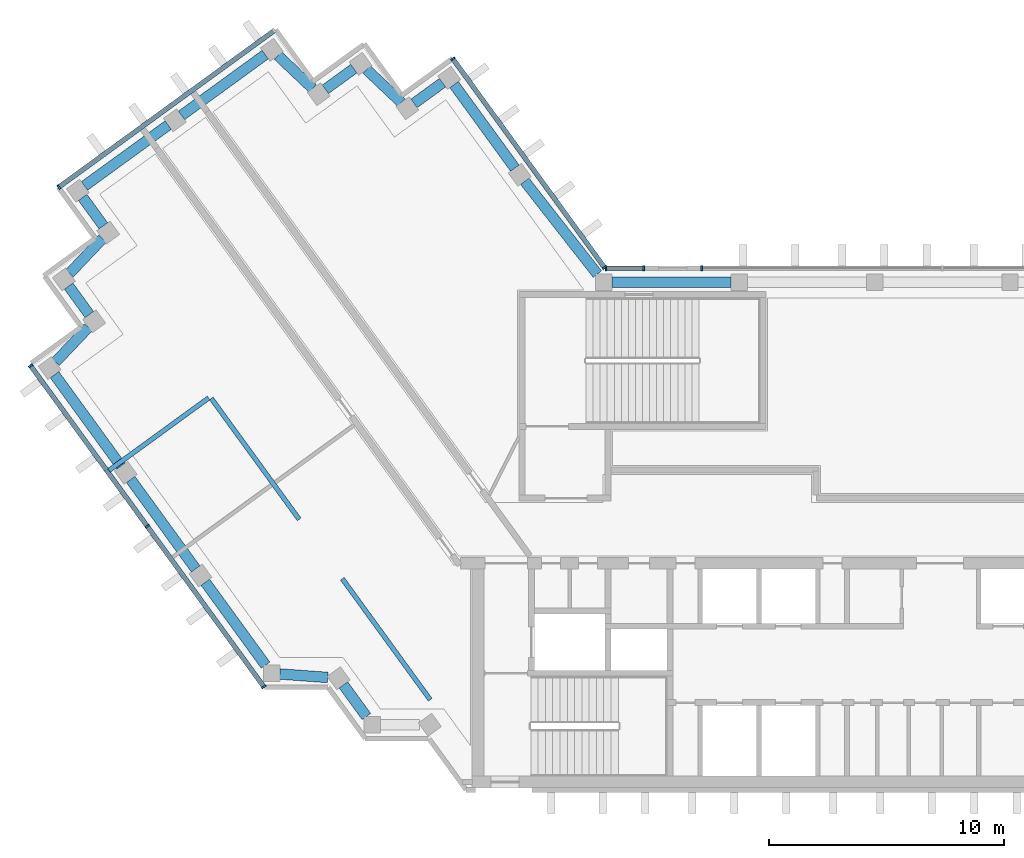
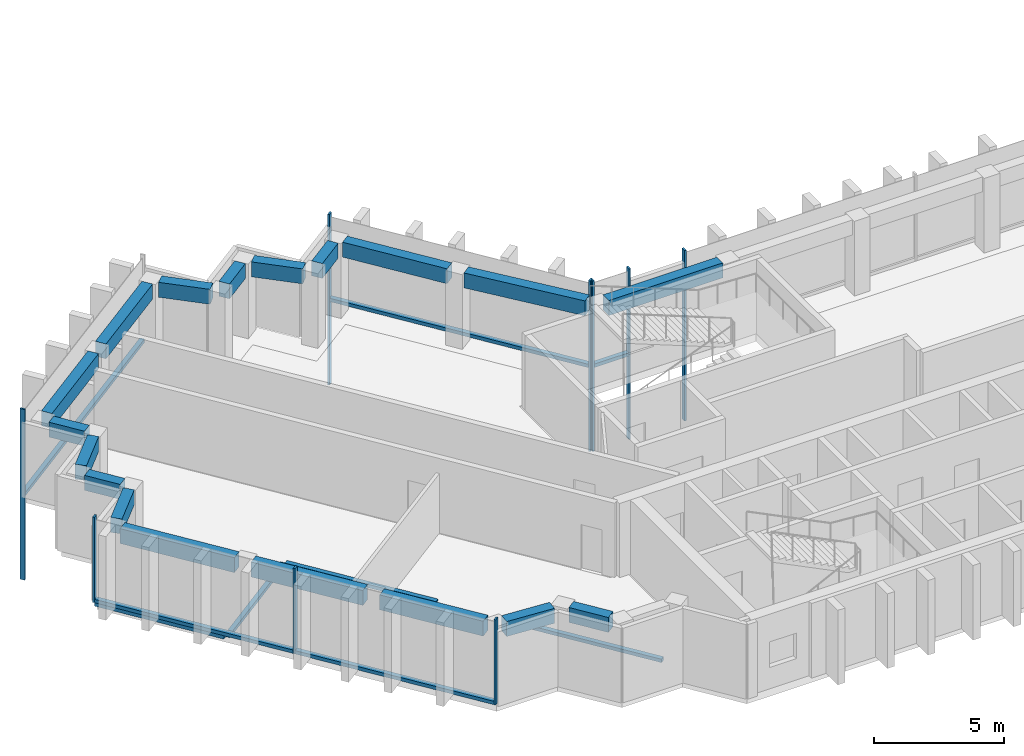
"""IFC4 building model written with IfcOpenShell, lengths in metres."""

import ifcopenshell
import ifcopenshell.guid

model = None  # the IFC model being written
_history = None  # IfcOwnerHistory: only IFC2X3 demands one
_inside = {}  # id of a spatial element -> (the spatial element, [elements in it])
_under = {}  # id of a project, library or spatial element -> (it, [spatial elements below it])
_declared = {}  # id of a project -> (the project, [libraries it declares])
_typed = {}  # id of a type object -> (the type object, [elements of that type])
_made_of = {}  # id of a material, layer set ... -> (it, [elements and type objects made of it])


def new_model(schema):
    """Start an empty IFC model of exactly this schema.

    Asked for "IFC4X3", IfcOpenShell would pick the latest addendum, in which some entities
    have other attributes; the version numbers below select the first issue.
    IFC2X3 requires an IfcOwnerHistory on every rooted entity: one is made here for all.
    """
    global model, _history
    if schema == "IFC4X3":
        model = ifcopenshell.file(schema_version=(4, 3, 0, 0))
    else:
        model = ifcopenshell.file(schema=schema)
    _inside.clear()
    _under.clear()
    _declared.clear()
    _typed.clear()
    _made_of.clear()
    _history = None
    if model.schema == "IFC2X3":
        org = make("IfcOrganization", Name="unknown")
        user = make(
            "IfcPersonAndOrganization",
            ThePerson=make("IfcPerson", FamilyName="unknown"),
            TheOrganization=org,
        )
        app = make(
            "IfcApplication",
            ApplicationDeveloper=org,
            Version="unknown",
            ApplicationFullName="unknown",
            ApplicationIdentifier="unknown",
        )
        _history = make(
            "IfcOwnerHistory",
            OwningUser=user,
            OwningApplication=app,
            ChangeAction="ADDED",
            CreationDate=0,
        )
    return model


def make(cls, **values):
    """One entity of the class cls with the attributes given. An attribute that is None is left unset."""
    return model.create_entity(
        cls, **{name: value for name, value in values.items() if value is not None}
    )


def rooted(cls, **values):
    """An entity with a GlobalId (a new one), such as an element, a storey or a relation."""
    return make(cls, GlobalId=ifcopenshell.guid.new(), OwnerHistory=_history, **values)


def si_unit(unit_type, name, prefix=None):
    """IfcSIUnit, for example si_unit("LENGTHUNIT", "METRE", prefix="MILLI")."""
    return make("IfcSIUnit", UnitType=unit_type, Prefix=prefix, Name=name)


def assignment(units):
    """IfcUnitAssignment: the units of a project."""
    return None if units is None else make("IfcUnitAssignment", Units=units)


def point(xyz):
    """IfcCartesianPoint."""
    return None if xyz is None else make("IfcCartesianPoint", Coordinates=xyz)


def direction(xyz):
    """IfcDirection."""
    return None if xyz is None else make("IfcDirection", DirectionRatios=xyz)


def frame(location, z_axis=None, x_axis=None):
    """IfcAxis2Placement3D, a coordinate frame: its origin and axes. An axis left out is left unset."""
    return make(
        "IfcAxis2Placement3D",
        Location=point(location),
        Axis=direction(z_axis),
        RefDirection=direction(x_axis),
    )


def frame_2d(location, x_axis=None):
    """IfcAxis2Placement2D, a coordinate frame in the plane: its origin and x axis."""
    return make(
        "IfcAxis2Placement2D", Location=point(location), RefDirection=direction(x_axis)
    )


def origin():
    """The frame at (0, 0, 0) with its axes left unset."""
    return frame((0.0, 0.0, 0.0))


def origin_2d():
    """The frame at (0, 0) in the plane with its x axis left unset."""
    return frame_2d((0.0, 0.0))


def place(relative_to, where):
    """IfcLocalPlacement: puts the frame where relative to a parent placement (None: the world)."""
    return make(
        "IfcLocalPlacement", PlacementRelTo=relative_to, RelativePlacement=where
    )


def context(
    kind, dimensions, precision=None, world=None, true_north=None, identifier=None
):
    """IfcGeometricRepresentationContext, for example the 3D "Model" context."""
    return make(
        "IfcGeometricRepresentationContext",
        ContextIdentifier=identifier,
        ContextType=kind,
        CoordinateSpaceDimension=dimensions,
        Precision=precision,
        WorldCoordinateSystem=world,
        TrueNorth=true_north,
    )


def subcontext(parent, identifier, kind, view, scale=None):
    """IfcGeometricRepresentationSubContext, for example "Body" below "Model"."""
    return make(
        "IfcGeometricRepresentationSubContext",
        ContextIdentifier=identifier,
        ContextType=kind,
        ParentContext=parent,
        TargetScale=scale,
        TargetView=view,
    )


def project(units=None, contexts=None):
    """IfcProject with its units and contexts."""
    return rooted(
        "IfcProject",
        Name="project",
        RepresentationContexts=contexts,
        UnitsInContext=assignment(units),
    )


def spatial(cls, under=None, at=None, **own):
    """A site, building, storey or space (cls), placed at a placement, below another one or the project."""
    s = rooted(cls, ObjectPlacement=at, **own)
    if under is not None:
        _under.setdefault(under.id(), (under, []))[1].append(s)
    return s


def profile(cls, at=None, kind="AREA", **sizes):
    """A parametric profile (cls). Its sizes go by their IFC names, for example OverallWidth=200.0."""
    return make(cls, ProfileType=kind, Position=at, **sizes)


def rectangle(**sizes):
    """IfcRectangleProfileDef."""
    return profile("IfcRectangleProfileDef", **sizes)


def extrude(swept, where, along, depth):
    """IfcExtrudedAreaSolid: the profile swept, set in the frame where, extruded along a direction by depth."""
    return make(
        "IfcExtrudedAreaSolid",
        SweptArea=swept,
        Position=where,
        ExtrudedDirection=direction(along),
        Depth=depth,
    )


def shape(context_of_items, identifier, shape_type, items):
    """IfcShapeRepresentation: the items that make up one representation, for example the "Body"."""
    return make(
        "IfcShapeRepresentation",
        ContextOfItems=context_of_items,
        RepresentationIdentifier=identifier,
        RepresentationType=shape_type,
        Items=items,
    )


def material(Name=None, Category=None):
    """IfcMaterial."""
    return make("IfcMaterial", Name=Name, Category=Category)


def material_profile(
    of_material, cross_section, Name=None, Category=None, Priority=None
):
    """IfcMaterialProfile: a cross section and its material."""
    return make(
        "IfcMaterialProfile",
        Name=Name,
        Material=of_material,
        Profile=cross_section,
        Priority=Priority,
        Category=Category,
    )


def profile_set(profiles, Name=None, composite=None):
    """IfcMaterialProfileSet."""
    return make(
        "IfcMaterialProfileSet",
        Name=Name,
        MaterialProfiles=profiles,
        CompositeProfile=composite,
    )


def made_of(thing, what):
    """Note that an element or type object is made of a material, layer set ...; save() writes the relation."""
    if what is not None:
        _made_of.setdefault(what.id(), (what, []))[1].append(thing)
    return thing


def type_object(cls, material=None, **own):
    """A type object (cls), such as IfcWallType, which elements share."""
    return made_of(rooted(cls, **own), material)


def element(
    cls,
    number,
    at=None,
    inside=None,
    cuts=None,
    type_object=None,
    material=None,
    context=None,
    identifier="Body",
    shape_type=None,
    held_by="IfcProductDefinitionShape",
    body=None,
    shapes=None,
    **own,
):
    """One element of the class cls, such as IfcWall. Its Tag is "e" and its number.

    at: its placement. inside: the storey or other place that contains it. cuts: it is an
    opening in that element (IfcRelVoidsElement). A single representation is given by context,
    identifier, shape_type and body (its items); several are given by shapes. held_by: the class
    of the entity that holds the representations. save() writes the other relations.
    """
    e = rooted(cls, Tag="e%d" % number, ObjectPlacement=at, **own)
    if body is not None:
        shapes = [shape(context, identifier, shape_type, body)]
    if shapes is not None:
        e.Representation = make(held_by, Representations=shapes)
    if inside is not None:
        _inside.setdefault(inside.id(), (inside, []))[1].append(e)
    if cuts is not None:
        rooted(
            "IfcRelVoidsElement", RelatingBuildingElement=cuts, RelatedOpeningElement=e
        )
    if type_object is not None:
        _typed.setdefault(type_object.id(), (type_object, []))[1].append(e)
    return made_of(e, material)


def aggregate(whole, parts):
    """IfcRelAggregates: a whole, such as a stair, and the parts it consists of."""
    return rooted("IfcRelAggregates", RelatingObject=whole, RelatedObjects=parts)


def save(model, path):
    """Write the relations noted so far, then the file.

    IfcRelAggregates (storeys below a building ...), IfcRelContainedInSpatialStructure (elements
    in a storey), IfcRelDefinesByType, IfcRelAssociatesMaterial and IfcRelDeclares: one each for
    every whole, place, type object, material and project.
    """
    for whole, parts in _under.values():
        aggregate(whole, parts)
    for where, things in _inside.values():
        rooted(
            "IfcRelContainedInSpatialStructure",
            RelatedElements=things,
            RelatingStructure=where,
        )
    for kind, things in _typed.values():
        rooted("IfcRelDefinesByType", RelatedObjects=things, RelatingType=kind)
    for what, things in _made_of.values():
        rooted("IfcRelAssociatesMaterial", RelatedObjects=things, RelatingMaterial=what)
    for by, libraries in _declared.values():
        rooted("IfcRelDeclares", RelatingContext=by, RelatedDefinitions=libraries)
    model.write(path)


model = new_model("IFC4")

# Units and contexts
model_context = context("Model", 3, precision=1e-05, world=origin(), true_north=direction((0.0, 1.0)))
body_context = subcontext(model_context, "Body", "Model", "MODEL_VIEW")
ifc_project = project(units=[si_unit("LENGTHUNIT", "METRE"), si_unit("AREAUNIT", "SQUARE_METRE"), si_unit("VOLUMEUNIT", "CUBIC_METRE"), si_unit("PLANEANGLEUNIT", "RADIAN"), si_unit("MASSUNIT", "GRAM", prefix="KILO")], contexts=[model_context])

# Site, building, storey
site_placement = place(None, origin())
site = spatial("IfcSite", under=ifc_project, at=site_placement, CompositionType="ELEMENT")
building_placement = place(site_placement, origin())
building = spatial("IfcBuilding", under=site, at=building_placement, Name="Quipu Civic Tower", CompositionType="ELEMENT")
storey_1_placement = place(building_placement, frame((0.0, 0.0, 269.0)))
storey_1 = spatial("IfcBuildingStorey", under=building, at=storey_1_placement, Name="L63", CompositionType="ELEMENT", Elevation=269.0)

# Curtain wall, member
ifc_material_1 = material(Name="Insulated glass unit", Category="glass")
curtain_wall_type = type_object("IfcCurtainWallType", Name="Office curtain wall CW1", PredefinedType="NOTDEFINED", material=ifc_material_1)
curtain_wall_1_placement = place(storey_1_placement, origin())
curtain_wall_1 = element("IfcCurtainWall", 1, at=curtain_wall_1_placement, inside=storey_1, type_object=curtain_wall_type, Name="Office curtain wall CW1 L62 run 29", PredefinedType="NOTDEFINED")
ifc_material_2 = material(Name="Anodised aluminium", Category="aluminium")
ifc_material_profile_1 = material_profile(ifc_material_2, rectangle(XDim=0.199951171875, YDim=0.080078125, at=origin_2d()), Name="RECT 200x80")
ifc_profile_set_1 = profile_set([ifc_material_profile_1], Name="Anodised aluminium")
member_type_1 = type_object("IfcMemberType", Name="Mullion CW1", PredefinedType="MULLION", material=ifc_profile_set_1)
member_1_placement = place(storey_1_placement, frame((-10.223388671875, 11.10009765625, -3.919921875), z_axis=(0.0, 0.0, 1.0), x_axis=(0.0, -1.0, 0.0)))
member_1 = element("IfcMember", 2, at=member_1_placement, type_object=member_type_1, Name="CW1 mullion 3", PredefinedType="MULLION", context=body_context, shape_type="SweptSolid", body=[
    extrude(rectangle(XDim=0.199951171875, YDim=0.080078125, at=origin_2d()), origin(), (0.0, 0.0, 1.0), 8.0),
])
aggregate(curtain_wall_1, [member_1])

# Curtain wall, members
curtain_wall_2_placement = place(storey_1_placement, origin())
curtain_wall_2 = element("IfcCurtainWall", 3, at=curtain_wall_2_placement, inside=storey_1, type_object=curtain_wall_type, Name="Office curtain wall CW1 L62 run 31", PredefinedType="NOTDEFINED")
member_2_placement = place(storey_1_placement, frame((-12.695068359375, 11.10009765625, -3.919921875), z_axis=(0.0, 0.0, 1.0), x_axis=(0.0, -1.0, 0.0)))
member_2 = element("IfcMember", 4, at=member_2_placement, type_object=member_type_1, Name="CW1 mullion 1", PredefinedType="MULLION", context=body_context, shape_type="SweptSolid", body=[
    extrude(rectangle(XDim=0.199951171875, YDim=0.080078125, at=origin_2d()), origin(), (0.0, 0.0, 1.0), 8.0),
])
member_3_placement = place(storey_1_placement, frame((-14.30419921875, 11.10009765625, -3.919921875), z_axis=(0.0, 0.0, 1.0), x_axis=(0.0, -1.0, 0.0)))
member_3 = element("IfcMember", 5, at=member_3_placement, type_object=member_type_1, Name="CW1 mullion 2", PredefinedType="MULLION", context=body_context, shape_type="SweptSolid", body=[
    extrude(rectangle(XDim=0.199951171875, YDim=0.080078125, at=origin_2d()), origin(), (0.0, 0.0, 1.0), 8.0),
])

curtain_wall_3_placement = place(storey_1_placement, origin())
curtain_wall_3 = element("IfcCurtainWall", 6, at=curtain_wall_3_placement, inside=storey_1, type_object=curtain_wall_type, Name="Office curtain wall CW1 L62 run 32", PredefinedType="NOTDEFINED")
member_4_placement = place(storey_1_placement, frame((-14.36767578125, 11.13232421875, -3.919921875), z_axis=(0.0, 0.0, 1.0), x_axis=(-0.809015163947, -0.587787771652, 0.0)))
member_4 = element("IfcMember", 7, at=member_4_placement, type_object=member_type_1, Name="CW1 mullion 1", PredefinedType="MULLION", context=body_context, shape_type="SweptSolid", body=[
    extrude(rectangle(XDim=0.199951171875, YDim=0.080078125, at=origin_2d()), origin(), (0.0, 0.0, 1.0), 8.0),
])
member_5_placement = place(storey_1_placement, frame((-20.8125, 20.002685546875, -3.919921875), z_axis=(0.0, 0.0, 1.0), x_axis=(-0.809015163947, -0.587787771652, 0.0)))
member_5 = element("IfcMember", 8, at=member_5_placement, type_object=member_type_1, Name="CW1 mullion 2", PredefinedType="MULLION", context=body_context, shape_type="SweptSolid", body=[
    extrude(rectangle(XDim=0.199951171875, YDim=0.080078125, at=origin_2d()), origin(), (0.0, 0.0, 1.0), 8.0),
])

# Curtain wall, member
curtain_wall_4_placement = place(storey_1_placement, origin())
curtain_wall_4 = element("IfcCurtainWall", 9, at=curtain_wall_4_placement, inside=storey_1, type_object=curtain_wall_type, Name="Office curtain wall CW1 L62 run 37", PredefinedType="NOTDEFINED")
member_6_placement = place(storey_1_placement, frame((-37.569091796875, 14.552490234375, -3.919921875), z_axis=(0.0, 0.0, 1.0), x_axis=(0.587787753918, -0.809015176832, 0.0)))
member_6 = element("IfcMember", 10, at=member_6_placement, type_object=member_type_1, Name="CW1 mullion 2", PredefinedType="MULLION", context=body_context, shape_type="SweptSolid", body=[
    extrude(rectangle(XDim=0.199951171875, YDim=0.080078125, at=origin_2d()), origin(), (0.0, 0.0, 1.0), 8.0),
])

# Curtain wall, members
curtain_wall_5_placement = place(storey_1_placement, origin())
curtain_wall_5 = element("IfcCurtainWall", 11, at=curtain_wall_5_placement, inside=storey_1, type_object=curtain_wall_type, Name="Office curtain wall CW1 L63 run 1", PredefinedType="NOTDEFINED")
member_7_placement = place(storey_1_placement, frame((-38.772705078125, 6.953857421875, 0.080078125), z_axis=(0.0, 0.0, 1.0), x_axis=(0.809016278475, 0.587786237643, 0.0)))
member_7 = element("IfcMember", 12, at=member_7_placement, type_object=member_type_1, Name="CW1 mullion 1", PredefinedType="MULLION", context=body_context, shape_type="SweptSolid", body=[
    extrude(rectangle(XDim=0.199951171875, YDim=0.080078125, at=origin_2d()), origin(), (0.0, 0.0, 1.0), 4.0),
])
member_8_placement = place(storey_1_placement, frame((-33.81298828125, 0.12744140625, 0.080078125), z_axis=(0.0, 0.0, 1.0), x_axis=(0.809016278475, 0.587786237643, 0.0)))
member_8 = element("IfcMember", 13, at=member_8_placement, type_object=member_type_1, Name="CW1 mullion 2", PredefinedType="MULLION", context=body_context, shape_type="SweptSolid", body=[
    extrude(rectangle(XDim=0.199951171875, YDim=0.080078125, at=origin_2d()), origin(), (0.0, 0.0, 1.0), 4.0),
])
member_9_placement = place(storey_1_placement, frame((-28.853271484375, -6.698974609375, 0.080078125), z_axis=(0.0, 0.0, 1.0), x_axis=(0.809016278475, 0.587786237643, 0.0)))
member_9 = element("IfcMember", 14, at=member_9_placement, type_object=member_type_1, Name="CW1 mullion 3", PredefinedType="MULLION", context=body_context, shape_type="SweptSolid", body=[
    extrude(rectangle(XDim=0.199951171875, YDim=0.080078125, at=origin_2d()), origin(), (0.0, 0.0, 1.0), 4.0),
])

# Beams
ifc_material_3 = material(Name="Concrete C50/60", Category="concrete")
ifc_material_profile_2 = material_profile(ifc_material_3, rectangle(XDim=0.449951171875, YDim=0.699951171875, at=origin_2d()), Name="RC450x700")
ifc_profile_set_2 = profile_set([ifc_material_profile_2], Name="Concrete C50/60")
beam_type = type_object("IfcBeamType", Name="Spandrel beam RC 450x700 C50/60", PredefinedType="SPANDREL", material=ifc_profile_set_2)
beam_1_placement = place(storey_1_placement, frame((-18.179443359375, 15.358154296875, 3.14990234375), z_axis=(-0.588201428764, 0.808714460857, 0.0), x_axis=(-0.808714460857, -0.588201428764, 0.0)))
element("IfcBeam", 15, at=beam_1_placement, inside=storey_1, type_object=beam_type, Name="Spandrel beam L63 W-IN-01 to T-Wi.0-W22", PredefinedType="SPANDREL", context=body_context, shape_type="SweptSolid", body=[
    extrude(rectangle(XDim=0.449951171875, YDim=0.699951171875, at=origin_2d()), origin(), (0.0, 0.0, 1.0), 4.394287109375),
])
beam_2_placement = place(storey_1_placement, frame((-21.25341796875, 18.989501953125, 3.14990234375), z_axis=(-0.809461336076, -0.587173181776, 0.0), x_axis=(0.587173181776, -0.809461336076, 0.0)))
element("IfcBeam", 16, at=beam_2_placement, inside=storey_1, type_object=beam_type, Name="Spandrel beam L63 T-Wi.0-W22 to T-Wi.1-W22", PredefinedType="SPANDREL", context=body_context, shape_type="SweptSolid", body=[
    extrude(rectangle(XDim=0.449951171875, YDim=0.699951171875, at=origin_2d()), origin(), (0.0, 0.0, 1.0), 1.498046875),
])
beam_3_placement = place(storey_1_placement, frame((-23.00732421875, 18.1494140625, 3.14990234375), z_axis=(-0.72511931772, 0.6886232461, 0.0), x_axis=(-0.6886232461, -0.72511931772, 0.0)))
element("IfcBeam", 17, at=beam_3_placement, inside=storey_1, type_object=beam_type, Name="Spandrel beam L63 T-Wi.1-W22 to T-Wi.2-W22", PredefinedType="SPANDREL", context=body_context, shape_type="SweptSolid", body=[
    extrude(rectangle(XDim=0.449951171875, YDim=0.699951171875, at=origin_2d()), origin(), (0.0, 0.0, 1.0), 2.03369140625),
])
beam_4_placement = place(storey_1_placement, frame((-25.02294921875, 19.589111328125, 3.14990234375), z_axis=(-0.808644589435, -0.588297482553, 0.0), x_axis=(0.588297482553, -0.808644589435, 0.0)))
element("IfcBeam", 18, at=beam_4_placement, inside=storey_1, type_object=beam_type, Name="Spandrel beam L63 T-Wi.2-W22 to T-Wi.3-W22", PredefinedType="SPANDREL", context=body_context, shape_type="SweptSolid", body=[
    extrude(rectangle(XDim=0.449951171875, YDim=0.699951171875, at=origin_2d()), origin(), (0.0, 0.0, 1.0), 1.500244140625),
])
beam_5_placement = place(storey_1_placement, frame((-26.777099609375, 18.74560546875, 3.14990234375), z_axis=(-0.725359138958, 0.688370626574, 0.0), x_axis=(-0.688370626574, -0.725359138958, 0.0)))
element("IfcBeam", 19, at=beam_5_placement, inside=storey_1, type_object=beam_type, Name="Spandrel beam L63 T-Wi.3-W22 to T-Wi.4-W22", PredefinedType="SPANDREL", context=body_context, shape_type="SweptSolid", body=[
    extrude(rectangle(XDim=0.449951171875, YDim=0.699951171875, at=origin_2d()), origin(), (0.0, 0.0, 1.0), 2.032958984375),
])
beam_6_placement = place(storey_1_placement, frame((-28.793212890625, 20.184326171875, 3.14990234375), z_axis=(-0.809146152767, -0.587607439931, 0.0), x_axis=(0.587607439931, -0.809146152767, 0.0)))
element("IfcBeam", 20, at=beam_6_placement, inside=storey_1, type_object=beam_type, Name="Spandrel beam L63 T-Wi.4-W22 to TIP-W-01-W22", PredefinedType="SPANDREL", context=body_context, shape_type="SweptSolid", body=[
    extrude(rectangle(XDim=0.449951171875, YDim=0.699951171875, at=origin_2d()), origin(), (0.0, 0.0, 1.0), 4.400390625),
])
beam_7_placement = place(storey_1_placement, frame((-32.920166015625, 17.187255859375, 3.14990234375), z_axis=(-0.809117270763, -0.587647208921, 0.0), x_axis=(0.587647208921, -0.809117270763, 0.0)))
element("IfcBeam", 21, at=beam_7_placement, inside=storey_1, type_object=beam_type, Name="Spandrel beam L63 TIP-W-01-W22 to T-Wo.0-W22", PredefinedType="SPANDREL", context=body_context, shape_type="SweptSolid", body=[
    extrude(rectangle(XDim=0.449951171875, YDim=0.699951171875, at=origin_2d()), origin(), (0.0, 0.0, 1.0), 4.40185546875),
])
beam_8_placement = place(storey_1_placement, frame((-36.55908203125, 14.112060546875, 3.14990234375), z_axis=(0.588345920092, -0.808609348394, 0.0), x_axis=(0.808609348394, 0.588345920092, 0.0)))
element("IfcBeam", 22, at=beam_8_placement, inside=storey_1, type_object=beam_type, Name="Spandrel beam L63 T-Wo.0-W22 to T-Wo.1-W22", PredefinedType="SPANDREL", context=body_context, shape_type="SweptSolid", body=[
    extrude(rectangle(XDim=0.449951171875, YDim=0.699951171875, at=origin_2d()), origin(), (0.0, 0.0, 1.0), 1.499755859375),
])
beam_9_placement = place(storey_1_placement, frame((-35.7158203125, 12.358154296875, 3.14990234375), z_axis=(-0.688247466856, -0.725475998477, 0.0), x_axis=(0.725475998477, -0.688247466856, 0.0)))
element("IfcBeam", 23, at=beam_9_placement, inside=storey_1, type_object=beam_type, Name="Spandrel beam L63 T-Wo.1-W22 to T-Wo.2-W22", PredefinedType="SPANDREL", context=body_context, shape_type="SweptSolid", body=[
    extrude(rectangle(XDim=0.449951171875, YDim=0.699951171875, at=origin_2d()), origin(), (0.0, 0.0, 1.0), 2.032958984375),
])
beam_10_placement = place(storey_1_placement, frame((-37.154541015625, 10.341796875, 3.14990234375), z_axis=(0.587164895097, -0.809467347066, 0.0), x_axis=(0.809467347066, 0.587164895097, 0.0)))
element("IfcBeam", 24, at=beam_10_placement, inside=storey_1, type_object=beam_type, Name="Spandrel beam L63 T-Wo.2-W22 to T-Wo.3-W22", PredefinedType="SPANDREL", context=body_context, shape_type="SweptSolid", body=[
    extrude(rectangle(XDim=0.449951171875, YDim=0.699951171875, at=origin_2d()), origin(), (0.0, 0.0, 1.0), 1.500244140625),
])
beam_11_placement = place(storey_1_placement, frame((-36.3134765625, 8.586181640625, 3.14990234375), z_axis=(-0.689175330605, -0.724594620244, 0.0), x_axis=(0.724594620244, -0.689175330605, 0.0)))
element("IfcBeam", 25, at=beam_11_placement, inside=storey_1, type_object=beam_type, Name="Spandrel beam L63 T-Wo.3-W22 to T-Wo.4-W22", PredefinedType="SPANDREL", context=body_context, shape_type="SweptSolid", body=[
    extrude(rectangle(XDim=0.449951171875, YDim=0.699951171875, at=origin_2d()), origin(), (0.0, 0.0, 1.0), 2.033447265625),
])
beam_12_placement = place(storey_1_placement, frame((-37.754150390625, 6.57177734375, 3.14990234375), z_axis=(0.587905928359, -0.808929304328, 0.0), x_axis=(0.808929304328, 0.587905928359, 0.0)))
element("IfcBeam", 26, at=beam_12_placement, inside=storey_1, type_object=beam_type, Name="Spandrel beam L63 T-Wo.4-W22 to W-OUT-02", PredefinedType="SPANDREL", context=body_context, shape_type="SweptSolid", body=[
    extrude(rectangle(XDim=0.449951171875, YDim=0.699951171875, at=origin_2d()), origin(), (0.0, 0.0, 1.0), 4.80712890625),
])
beam_13_placement = place(storey_1_placement, frame((-34.5166015625, 2.116943359375, 3.14990234375), z_axis=(0.587788656305, -0.809014521204, 0.0), x_axis=(0.809014521204, 0.587788656305, 0.0)))
element("IfcBeam", 27, at=beam_13_placement, inside=storey_1, type_object=beam_type, Name="Spandrel beam L63 W-OUT-02 to W-OUT-01", PredefinedType="SPANDREL", context=body_context, shape_type="SweptSolid", body=[
    extrude(rectangle(XDim=0.449951171875, YDim=0.699951171875, at=origin_2d()), origin(), (0.0, 0.0, 1.0), 4.7001953125),
])
beam_14_placement = place(storey_1_placement, frame((-31.342529296875, -2.251953125, 3.14990234375), z_axis=(0.58777550284, -0.809024077677, 0.0), x_axis=(0.809024077677, 0.58777550284, 0.0)))
element("IfcBeam", 28, at=beam_14_placement, inside=storey_1, type_object=beam_type, Name="Spandrel beam L63 W-OUT-01 to J-Wo.0", PredefinedType="SPANDREL", context=body_context, shape_type="SweptSolid", body=[
    extrude(rectangle(XDim=0.449951171875, YDim=0.699951171875, at=origin_2d()), origin(), (0.0, 0.0, 1.0), 4.36083984375),
])
beam_15_placement = place(storey_1_placement, frame((-28.175048828125, -6.155517578125, 3.14990234375), z_axis=(0.99737333325, -0.072432272649, 0.0), x_axis=(0.072432272649, 0.99737333325, 0.0)))
element("IfcBeam", 29, at=beam_15_placement, inside=storey_1, type_object=beam_type, Name="Spandrel beam L63 J-Wo.0 to J-Wo.1", PredefinedType="SPANDREL", context=body_context, shape_type="SweptSolid", body=[
    extrude(rectangle(XDim=0.449951171875, YDim=0.699951171875, at=origin_2d()), origin(), (0.0, 0.0, 1.0), 2.04931640625),
])
beam_16_placement = place(storey_1_placement, frame((-25.468505859375, -6.6201171875, 3.14990234375), z_axis=(0.588407300614, -0.80856468423, 0.0), x_axis=(0.80856468423, 0.588407300614, 0.0)))
element("IfcBeam", 30, at=beam_16_placement, inside=storey_1, type_object=beam_type, Name="Spandrel beam L63 J-Wo.1 to J-Wo.2", PredefinedType="SPANDREL", context=body_context, shape_type="SweptSolid", body=[
    extrude(rectangle(XDim=0.449951171875, YDim=0.699951171875, at=origin_2d()), origin(), (0.0, 0.0, 1.0), 1.663330078125),
])
beam_17_placement = place(storey_1_placement, frame((-8.987060546875, 10.5, 3.14990234375), z_axis=(-1.0, 0.0, 0.0), x_axis=(0.0, -1.0, 0.0)))
element("IfcBeam", 31, at=beam_17_placement, inside=storey_1, type_object=beam_type, Name="Spandrel beam L63 FRONT-04 to J-Wi.0", PredefinedType="SPANDREL", context=body_context, shape_type="SweptSolid", body=[
    extrude(rectangle(XDim=0.449951171875, YDim=0.699951171875, at=origin_2d()), origin(), (0.0, 0.0, 1.0), 5.05810546875),
])
beam_18_placement = place(storey_1_placement, frame((-14.6689453125, 10.85009765625, 3.14990234375), z_axis=(-0.616106034519, 0.787663223865, 0.0), x_axis=(-0.787663223865, -0.616106034519, 0.0)))
element("IfcBeam", 32, at=beam_18_placement, inside=storey_1, type_object=beam_type, Name="Spandrel beam L63 J-Wi.0 to W-IN-01", PredefinedType="SPANDREL", context=body_context, shape_type="SweptSolid", body=[
    extrude(rectangle(XDim=0.449951171875, YDim=0.699951171875, at=origin_2d()), origin(), (0.0, 0.0, 1.0), 5.013427734375),
])

# Storey
storey_2_placement = place(building_placement, frame((0.0, 0.0, 265.0)))
storey_2 = spatial("IfcBuildingStorey", under=building, at=storey_2_placement, Name="L62", CompositionType="ELEMENT", Elevation=265.0)

# Curtain wall, member
curtain_wall_6_placement = place(storey_2_placement, origin())
curtain_wall_6 = element("IfcCurtainWall", 33, at=curtain_wall_6_placement, inside=storey_2, type_object=curtain_wall_type, Name="Office curtain wall CW1 L62 run 1", PredefinedType="NOTDEFINED")
ifc_material_4 = material(Name="Anodised aluminium", Category="aluminium")
ifc_material_profile_3 = material_profile(ifc_material_4, rectangle(XDim=0.199951171875, YDim=0.159912109375, at=origin_2d()), Name="RECT 200x160")
ifc_profile_set_3 = profile_set([ifc_material_profile_3], Name="Anodised aluminium")
member_type_2 = type_object("IfcMemberType", Name="Transom CW1", PredefinedType="USERDEFINED", material=ifc_profile_set_3)
member_10_placement = place(storey_1_placement, frame((-38.7490234375, 6.92138671875, 0.0), z_axis=(0.587795368516, -0.809009644412, 0.0), x_axis=(0.809009644412, 0.587795368516, 0.0)))
member_10 = element("IfcMember", 34, at=member_10_placement, inside=storey_1, type_object=member_type_2, Name="CW1 transom 1.2", ObjectType="TRANSOM", PredefinedType="USERDEFINED", context=body_context, shape_type="SweptSolid", body=[
    extrude(rectangle(XDim=0.199951171875, YDim=0.159912109375, at=origin_2d()), origin(), (0.0, 0.0, 1.0), 5.43994140625),
])
aggregate(curtain_wall_6, [member_10])

curtain_wall_7_placement = place(storey_2_placement, origin())
curtain_wall_7 = element("IfcCurtainWall", 35, at=curtain_wall_7_placement, inside=storey_2, type_object=curtain_wall_type, Name="Office curtain wall CW1 L62 run 2", PredefinedType="NOTDEFINED")
member_11_placement = place(storey_1_placement, frame((-35.439697265625, 2.502685546875, 0.0), z_axis=(0.809010003307, 0.587794874552, 0.0), x_axis=(-0.587794874552, 0.809010003307, 0.0)))
member_11 = element("IfcMember", 36, at=member_11_placement, inside=storey_1, type_object=member_type_2, Name="CW1 transom 1.2", ObjectType="TRANSOM", PredefinedType="USERDEFINED", context=body_context, shape_type="SweptSolid", body=[
    extrude(rectangle(XDim=0.199951171875, YDim=0.159912109375, at=origin_2d()), origin(), (0.0, 0.0, 1.0), 5.239990234375),
])
aggregate(curtain_wall_7, [member_11])

curtain_wall_8_placement = place(storey_2_placement, origin())
curtain_wall_8 = element("IfcCurtainWall", 37, at=curtain_wall_8_placement, inside=storey_2, type_object=curtain_wall_type, Name="Office curtain wall CW1 L62 run 3", PredefinedType="NOTDEFINED")
member_12_placement = place(storey_1_placement, frame((-31.0888671875, 5.56494140625, 0.0), z_axis=(0.587785815007, -0.809016585539, 0.0), x_axis=(0.809016585539, 0.587785815007, 0.0)))
member_12 = element("IfcMember", 38, at=member_12_placement, inside=storey_1, type_object=member_type_2, Name="CW1 transom 1.2", ObjectType="TRANSOM", PredefinedType="USERDEFINED", context=body_context, shape_type="SweptSolid", body=[
    extrude(rectangle(XDim=0.199951171875, YDim=0.159912109375, at=origin_2d()), origin(), (0.0, 0.0, 1.0), 6.358642578125),
])
aggregate(curtain_wall_8, [member_12])

curtain_wall_9_placement = place(storey_2_placement, origin())
curtain_wall_9 = element("IfcCurtainWall", 39, at=curtain_wall_9_placement, inside=storey_2, type_object=curtain_wall_type, Name="Office curtain wall CW1 L62 run 5", PredefinedType="NOTDEFINED")
member_13_placement = place(storey_1_placement, frame((-25.515625, -2.105712890625, 0.0), z_axis=(0.587760684466, -0.809034843375, 0.0), x_axis=(0.809034843375, 0.587760684466, 0.0)))
member_13 = element("IfcMember", 40, at=member_13_placement, inside=storey_1, type_object=member_type_2, Name="CW1 transom 1.2", ObjectType="TRANSOM", PredefinedType="USERDEFINED", context=body_context, shape_type="SweptSolid", body=[
    extrude(rectangle(XDim=0.199951171875, YDim=0.159912109375, at=origin_2d()), origin(), (0.0, 0.0, 1.0), 6.358642578125),
])
aggregate(curtain_wall_9, [member_13])

# Member
member_14_placement = place(storey_1_placement, frame((-12.735107421875, 11.10009765625, 0.080078125), z_axis=(-1.0, 0.0, 0.0), x_axis=(0.0, -1.0, 0.0)))
member_14 = element("IfcMember", 41, at=member_14_placement, type_object=member_type_2, Name="CW1 transom 1.2", ObjectType="TRANSOM", PredefinedType="USERDEFINED", context=body_context, shape_type="SweptSolid", body=[
    extrude(rectangle(XDim=0.199951171875, YDim=0.159912109375, at=origin_2d()), origin(), (0.0, 0.0, 1.0), 1.529052734375),
])

aggregate(curtain_wall_2, [member_2, member_3, member_14])

member_15_placement = place(storey_1_placement, frame((-14.39111328125, 11.164794921875, 0.080078125), z_axis=(-0.587796859727, 0.809008560953, 0.0), x_axis=(-0.809008560953, -0.587796859727, 0.0)))
member_15 = element("IfcMember", 42, at=member_15_placement, type_object=member_type_2, Name="CW1 transom 1.2", ObjectType="TRANSOM", PredefinedType="USERDEFINED", context=body_context, shape_type="SweptSolid", body=[
    extrude(rectangle(XDim=0.199951171875, YDim=0.159912109375, at=origin_2d()), origin(), (0.0, 0.0, 1.0), 10.88427734375),
])

aggregate(curtain_wall_3, [member_4, member_5, member_15])

member_16_placement = place(storey_1_placement, frame((-28.443359375, 21.1826171875, 0.080078125), z_axis=(-0.809022463805, -0.587777724194, 0.0), x_axis=(0.587777724194, -0.809022463805, 0.0)))
member_16 = element("IfcMember", 43, at=member_16_placement, type_object=member_type_2, Name="CW1 transom 1.2", ObjectType="TRANSOM", PredefinedType="USERDEFINED", context=body_context, shape_type="SweptSolid", body=[
    extrude(rectangle(XDim=0.199951171875, YDim=0.159912109375, at=origin_2d()), origin(), (0.0, 0.0, 1.0), 11.240234375),
])

aggregate(curtain_wall_4, [member_6, member_16])

member_17_placement = place(storey_1_placement, frame((-38.7490234375, 6.92138671875, 0.159912109375), z_axis=(0.587779098815, -0.809021465102, 0.0), x_axis=(0.809021465102, 0.587779098815, 0.0)))
member_17 = element("IfcMember", 44, at=member_17_placement, type_object=member_type_2, Name="CW1 transom 1.1", ObjectType="TRANSOM", PredefinedType="USERDEFINED", context=body_context, shape_type="SweptSolid", body=[
    extrude(rectangle(XDim=0.199951171875, YDim=0.159912109375, at=origin_2d()), origin(), (0.0, 0.0, 1.0), 8.35791015625),
])

member_18_placement = place(storey_1_placement, frame((-33.78955078125, 0.094970703125, 0.159912109375), z_axis=(0.587812107925, -0.808997481935, 0.0), x_axis=(0.808997481935, 0.587812107925, 0.0)))
member_18 = element("IfcMember", 45, at=member_18_placement, type_object=member_type_2, Name="CW1 transom 2.1", ObjectType="TRANSOM", PredefinedType="USERDEFINED", context=body_context, shape_type="SweptSolid", body=[
    extrude(rectangle(XDim=0.199951171875, YDim=0.159912109375, at=origin_2d()), origin(), (0.0, 0.0, 1.0), 8.35791015625),
])

aggregate(curtain_wall_5, [member_7, member_8, member_9, member_17, member_18])

save(model, "model.ifc")
